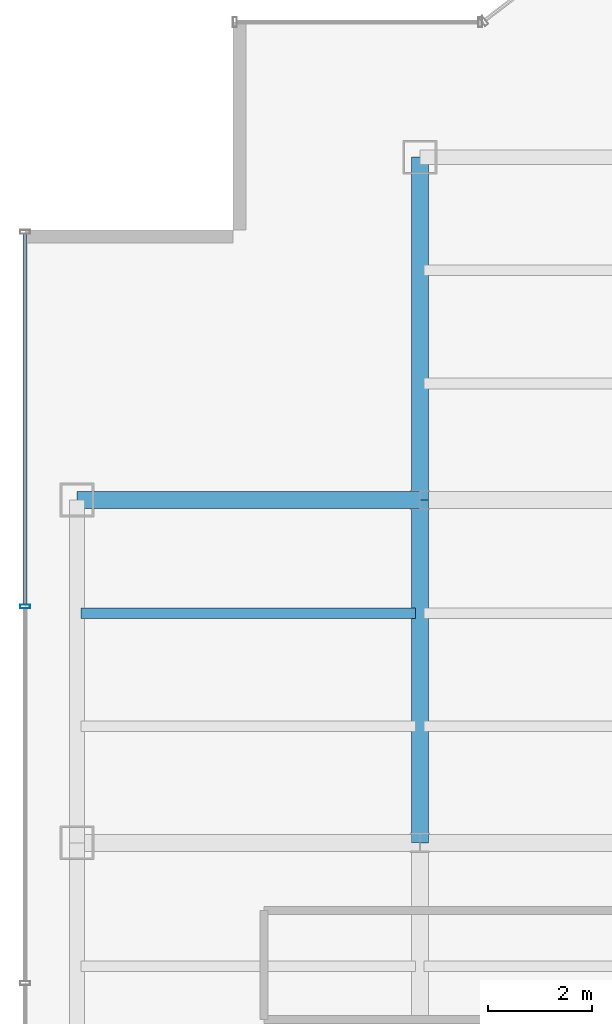
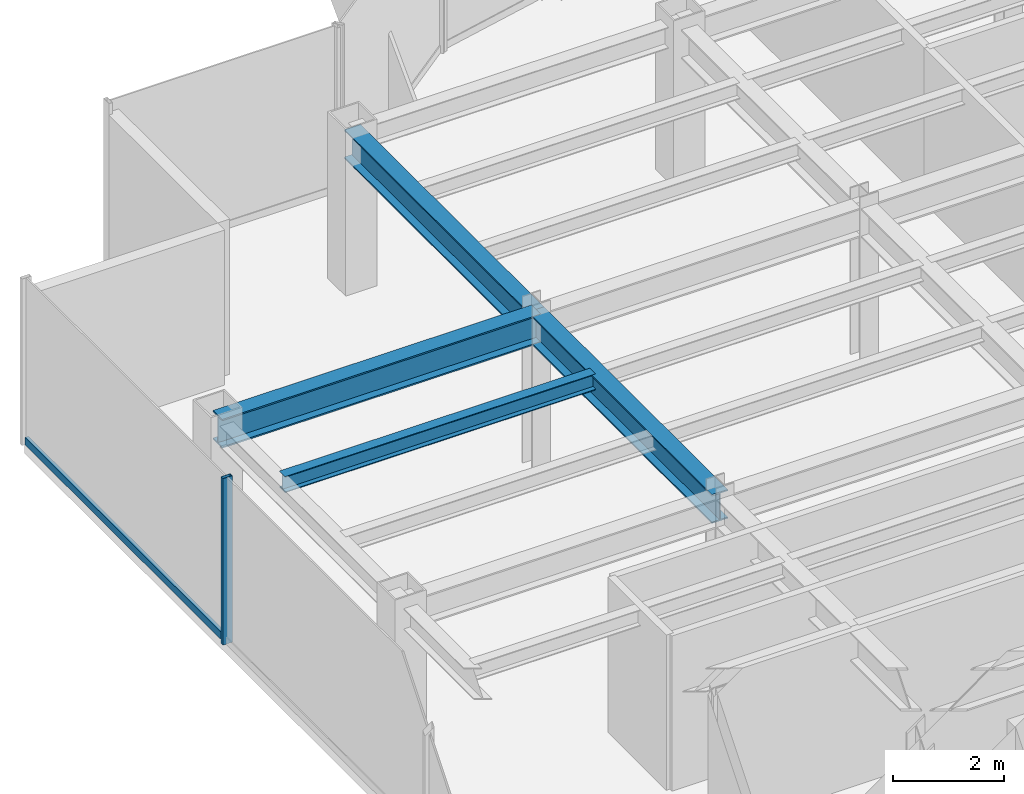
# One storey, part 7 of 25: 4 beams, 2 members, 1 element without a shape of its own.
"""IFC4 building model written with IfcOpenShell, lengths in metres."""

from ifc_helpers import new_model, si_unit, derived_unit, direction, frame, origin, origin_2d, place, context, subcontext, project, spatial, hollow_rectangle, i_section, extrude, source, transform, mapped, material, material_profile, profile_set, type_object, element, aggregate, save


model = new_model("IFC4")

# Units and contexts
model_context = context("Model", 3, precision=1e-05, world=origin(), true_north=direction((0.0, 1.0)))
body_context = subcontext(model_context, "Body", "Model", "MODEL_VIEW")
ifc_project = project(units=[si_unit("LENGTHUNIT", "METRE"), si_unit("AREAUNIT", "SQUARE_METRE"), si_unit("VOLUMEUNIT", "CUBIC_METRE"), si_unit("PLANEANGLEUNIT", "RADIAN"), si_unit("MASSUNIT", "GRAM", prefix="KILO"), derived_unit("THERMALTRANSMITTANCEUNIT", [(si_unit("POWERUNIT", "WATT"), 1), (si_unit("LENGTHUNIT", "METRE"), -2), (si_unit("THERMODYNAMICTEMPERATUREUNIT", "KELVIN"), -1)])], contexts=[model_context])

# Site, building, storey
site_placement = place(None, origin())
site = spatial("IfcSite", under=ifc_project, at=site_placement, CompositionType="ELEMENT")
building_placement = place(site_placement, origin())
building = spatial("IfcBuilding", under=site, at=building_placement, Name="Skarnbrae Concourse Arena and Tower", CompositionType="ELEMENT")
storey_placement = place(building_placement, frame((0.0, 0.0, 147.89990234375)))
storey = spatial("IfcBuildingStorey", under=building, at=storey_placement, Name="L37", CompositionType="ELEMENT", Elevation=147.89990234375)

# Beams
ifc_material_1 = material(Name="Steel CSA G40.21 350W", Category="steel")
ifc_material_profile_1 = material_profile(ifc_material_1, i_section(OverallWidth=0.3291015625, OverallDepth=0.635009765625, WebThickness=0.017822265625, FlangeThickness=0.031005859375, at=origin_2d()), Name="W610X241")
ifc_profile_set_1 = profile_set([ifc_material_profile_1], Name="Steel CSA G40.21 350W")
beam_type_1 = type_object("IfcBeamType", Name="BM-GIRD-W610X241", PredefinedType="BEAM", material=ifc_profile_set_1)
shared_shape_1 = source(origin(), body_context, "Body", "SweptSolid", [
    extrude(i_section(OverallWidth=0.3291015625, OverallDepth=0.635009765625, WebThickness=0.017822265625, FlangeThickness=0.031005859375, at=origin_2d()), origin(), (0.0, 0.0, 1.0), 6.60009765625),
])
for number, where, z_axis, x_axis, name in (
    (1, (1.0, 27.800048828125, 3.08251953125), (1.0, 0.0, 0.0), (0.0, 1.0, 0.0), "L37 Primary E-W girder Y27.8-1"),
    (2, (7.60009765625, 21.199951171875, 3.08251953125), (0.0, 1.0, 0.0), (-1.0, 0.0, 0.0), "L37 Primary N-S girder X7.6-2"),
):
    element("IfcBeam", number, at=place(storey_placement, frame(where, z_axis=z_axis, x_axis=x_axis)), inside=storey, type_object=beam_type_1, Name=name, PredefinedType="BEAM", context=body_context, shape_type="MappedRepresentation", body=[
        mapped(shared_shape_1, transform((0.0, 0.0, 0.0))),
    ])
shared_shape_2 = source(origin(), body_context, "Body", "SweptSolid", [
    extrude(i_section(OverallWidth=0.3291015625, OverallDepth=0.635009765625, WebThickness=0.017822265625, FlangeThickness=0.031005859375, at=origin_2d()), origin(), (0.0, 0.0, 1.0), 6.599853515625),
])
beam_1_placement = place(storey_placement, frame((7.60009765625, 27.800048828125, 3.08251953125), z_axis=(0.0, 1.0, 0.0), x_axis=(-1.0, 0.0, 0.0)))
element("IfcBeam", 3, at=beam_1_placement, inside=storey, type_object=beam_type_1, Name="L37 Primary N-S girder X7.6-3", PredefinedType="BEAM", context=body_context, shape_type="MappedRepresentation", body=[
    mapped(shared_shape_2, transform((0.0, 0.0, 0.0))),
])
ifc_material_profile_2 = material_profile(ifc_material_1, i_section(OverallWidth=0.205078125, OverallDepth=0.35400390625, WebThickness=0.009521484375, FlangeThickness=0.016845703125, at=origin_2d()), Name="W360X79")
ifc_profile_set_2 = profile_set([ifc_material_profile_2], Name="Steel CSA G40.21 350W")
beam_type_2 = type_object("IfcBeamType", Name="BM-JOIST-W360X79", PredefinedType="JOIST", material=ifc_profile_set_2)
shared_shape_3 = source(origin(), body_context, "Body", "SweptSolid", [
    extrude(i_section(OverallWidth=0.205078125, OverallDepth=0.35400390625, WebThickness=0.009521484375, FlangeThickness=0.016845703125, at=origin_2d()), origin(), (0.0, 0.0, 1.0), 6.43994140625),
])
beam_2_placement = place(storey_placement, frame((1.080078125, 25.6220703125, 3.22314453125), z_axis=(1.0, 0.0, 0.0), x_axis=(0.0, 1.0, 0.0)))
element("IfcBeam", 4, at=beam_2_placement, inside=storey, type_object=beam_type_2, Name="L37 Secondary floor joist 2.2.1", PredefinedType="JOIST", context=body_context, shape_type="MappedRepresentation", body=[
    mapped(shared_shape_3, transform((0.0, 0.0, 0.0))),
])

# Curtain wall, members
ifc_material_2 = material(Name="Bronze anodised aluminium 6063-T6", Category="aluminium")
curtain_wall_type = type_object("IfcCurtainWallType", Name="CW-SYS-04-MIDZONE", PredefinedType="USERDEFINED", material=ifc_material_2)
curtain_wall_placement = place(storey_placement, origin())
curtain_wall = element("IfcCurtainWall", 5, at=curtain_wall_placement, inside=storey, type_object=curtain_wall_type, Name="L37 Unitised curtain wall CW-L37-E18", ObjectType="UNITISED CURTAIN WALL", PredefinedType="USERDEFINED")
ifc_material_profile_3 = material_profile(ifc_material_2, hollow_rectangle(XDim=0.074951171875, YDim=0.195068359375, WallThickness=0.00439453125, at=origin_2d()), Name="ALU-MULL-75X195")
ifc_profile_set_3 = profile_set([ifc_material_profile_3], Name="Bronze anodised aluminium 6063-T6")
member_type_1 = type_object("IfcMemberType", Name="CWM-CW-04", PredefinedType="MULLION", material=ifc_profile_set_3)
shared_shape_4 = source(origin(), body_context, "Body", "SweptSolid", [
    extrude(hollow_rectangle(XDim=0.074951171875, YDim=0.195068359375, WallThickness=0.00439453125, at=origin_2d()), origin(), (0.0, 0.0, 1.0), 3.650146484375),
])
member_1_placement = place(storey_placement, frame((0.0, 25.75, 0.0), z_axis=(0.0, 0.0, 1.0), x_axis=(0.0, -1.0, 0.0)))
member_1 = element("IfcMember", 6, at=member_1_placement, type_object=member_type_1, Name="CW-L37-E18 Mullion 2", PredefinedType="MULLION", context=body_context, shape_type="MappedRepresentation", body=[
    mapped(shared_shape_4, transform((0.0, 0.0, 0.0))),
])
ifc_material_profile_4 = material_profile(ifc_material_2, hollow_rectangle(XDim=0.074951171875, YDim=0.159912109375, WallThickness=0.00439453125, at=origin_2d()), Name="ALU-TRAN-75X160")
ifc_profile_set_4 = profile_set([ifc_material_profile_4], Name="Bronze anodised aluminium 6063-T6")
member_type_2 = type_object("IfcMemberType", Name="CWT-CW-04", PredefinedType="USERDEFINED", material=ifc_profile_set_4)
shared_shape_5 = source(origin(), body_context, "Body", "SweptSolid", [
    extrude(hollow_rectangle(XDim=0.074951171875, YDim=0.159912109375, WallThickness=0.00439453125, at=origin_2d()), origin(), (0.0, 0.0, 1.0), 7.137451171875),
])
member_2_placement = place(storey_placement, frame((0.0, 32.925048828125, 0.080078125), z_axis=(0.0, -1.0, 0.0), x_axis=(1.0, 0.0, 0.0)))
member_2 = element("IfcMember", 7, at=member_2_placement, type_object=member_type_2, Name="CW-L37-E18 Transom 1", ObjectType="TRANSOM", PredefinedType="USERDEFINED", context=body_context, shape_type="MappedRepresentation", body=[
    mapped(shared_shape_5, transform((0.0, 0.0, 0.0))),
])
aggregate(curtain_wall, [member_1, member_2])

save(model, "model.ifc")
